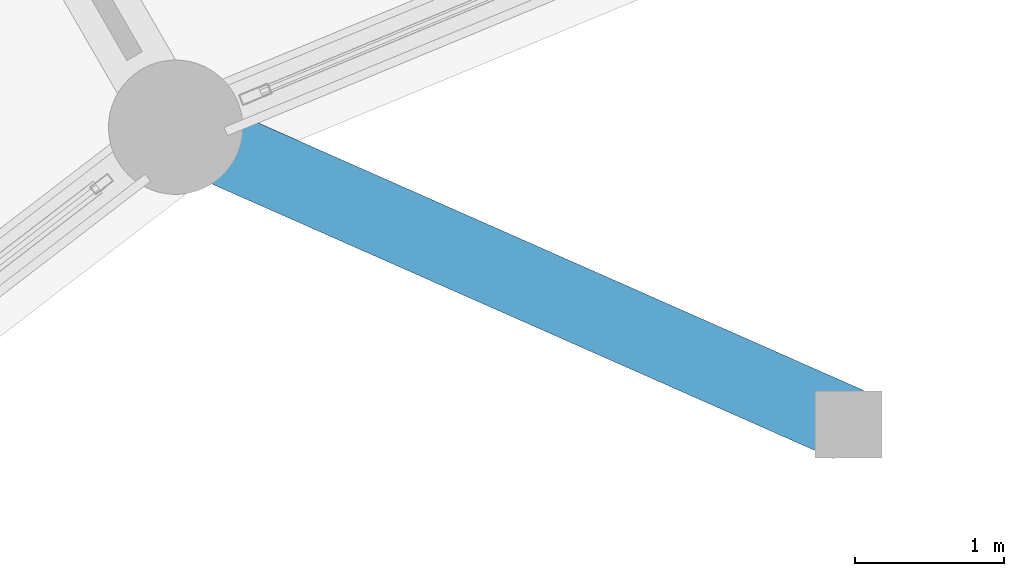
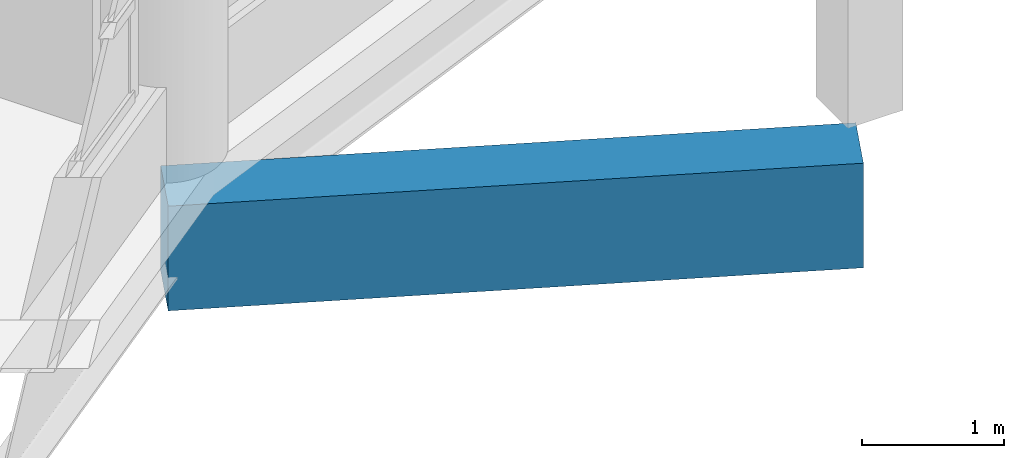
# One storey, part 53 of 129: 1 beam.
"""IFC4 building model written with IfcOpenShell, lengths in metres."""

from ifc_helpers import new_model, si_unit, direction, frame, origin, origin_2d, place, context, subcontext, project, spatial, rectangle, extrude, material, material_profile, profile_set, type_object, element, save


model = new_model("IFC4")

# Units and contexts
model_context = context("Model", 3, precision=1e-05, world=origin(), true_north=direction((0.0, 1.0)))
body_context = subcontext(model_context, "Body", "Model", "MODEL_VIEW")
ifc_project = project(units=[si_unit("LENGTHUNIT", "METRE"), si_unit("AREAUNIT", "SQUARE_METRE"), si_unit("VOLUMEUNIT", "CUBIC_METRE"), si_unit("PLANEANGLEUNIT", "RADIAN"), si_unit("MASSUNIT", "GRAM", prefix="KILO")], contexts=[model_context])

# Site, building, storey
site_placement = place(None, origin())
site = spatial("IfcSite", under=ifc_project, at=site_placement, CompositionType="ELEMENT")
building_placement = place(site_placement, origin())
building = spatial("IfcBuilding", under=site, at=building_placement, Name="Vespera Passage Community Centre", CompositionType="ELEMENT")
storey_placement = place(building_placement, origin())
storey = spatial("IfcBuildingStorey", under=building, at=storey_placement, Name="L00", CompositionType="ELEMENT", Elevation=0.0)

# Beam
ifc_material = material(Name="Concrete f'c 45 MPa", Category="concrete")
ifc_material_profile = material_profile(ifc_material, rectangle(XDim=0.5, YDim=0.89990234375, at=origin_2d()), Name="RC500X900")
ifc_profile_set = profile_set([ifc_material_profile], Name="Concrete f'c 45 MPa")
beam_type = type_object("IfcBeamType", Name="BM-G-500X900", PredefinedType="BEAM", material=ifc_profile_set)
beam_placement = place(storey_placement, frame((63.90576171875, 95.725341796875, -0.7900390625), z_axis=(-0.914704499111, 0.404123346649, 0.0), x_axis=(-0.404123346649, -0.914704499111, 0.0)))
element("IfcBeam", 1, at=beam_placement, inside=storey, type_object=beam_type, Name="Courtyard Terrace Grade Tie 3", PredefinedType="BEAM", context=body_context, shape_type="SweptSolid", body=[
    extrude(rectangle(XDim=0.5, YDim=0.89990234375, at=origin_2d()), origin(), (0.0, 0.0, 1.0), 4.926025390625),
])

save(model, "model.ifc")
